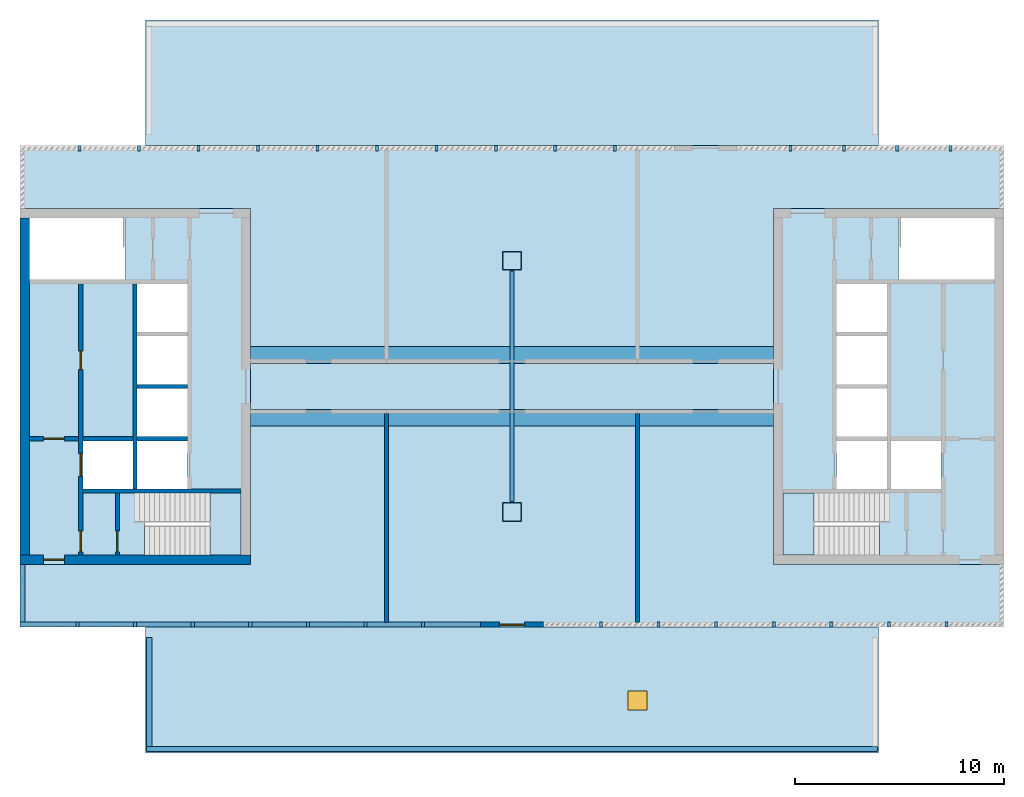
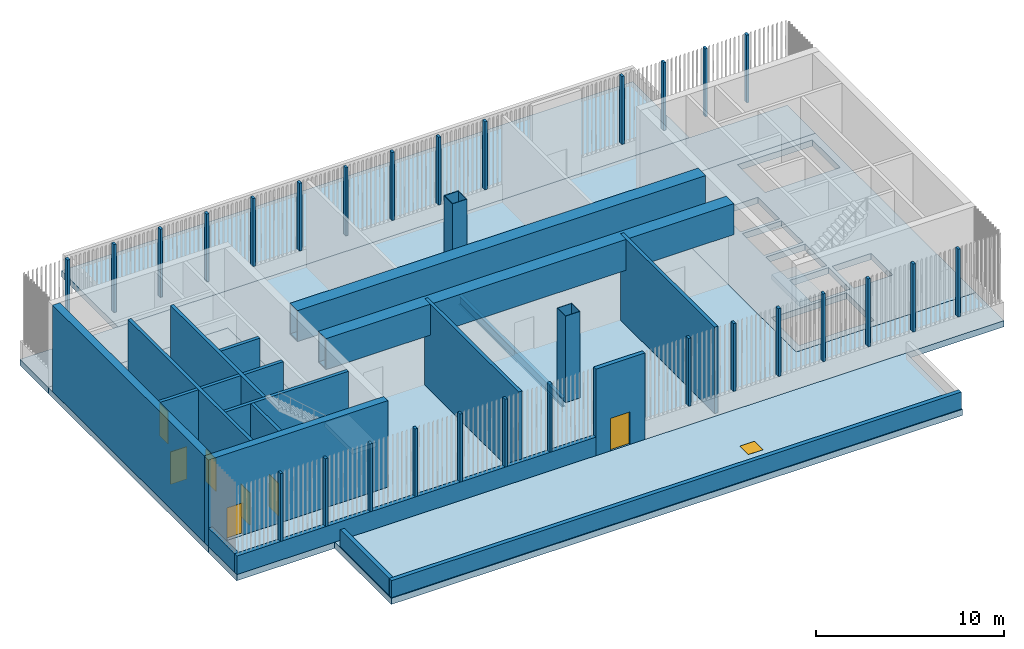
# One storey, part 1 of 9: 28 members, 17 walls, 7 doors, 7 slabs, 3 beams, 2 columns, 1 window, 8 openings, 2 elements without a shape of their own.
"""IFC4 building model written with IfcOpenShell, lengths in metres."""

from ifc_helpers import new_model, si_unit, direction, frame, frame_2d, origin, origin_2d, place, context, subcontext, project, spatial, polyline, rectangle, hollow_rectangle, i_section, outline, extrude, material, layer, layer_set, material_profile, profile_set, type_object, element, fill, aggregate, save


model = new_model("IFC4")

# Units and contexts
model_context = context("Model", 3, precision=1e-05, world=origin(), true_north=direction((0.0, 1.0)))
body_context = subcontext(model_context, "Body", "Model", "MODEL_VIEW")
ifc_project = project(units=[si_unit("LENGTHUNIT", "METRE"), si_unit("AREAUNIT", "SQUARE_METRE"), si_unit("VOLUMEUNIT", "CUBIC_METRE"), si_unit("PLANEANGLEUNIT", "RADIAN"), si_unit("MASSUNIT", "GRAM", prefix="KILO")], contexts=[model_context])

# Site, building, storey
site_placement = place(None, origin())
site = spatial("IfcSite", under=ifc_project, at=site_placement, CompositionType="ELEMENT")
building_placement = place(site_placement, origin())
building = spatial("IfcBuilding", under=site, at=building_placement, Name="Kitamizu Gate Tower and Museum", CompositionType="ELEMENT")
storey_placement = place(building_placement, frame((0.0, 0.0, 283.35009765625)))
storey = spatial("IfcBuildingStorey", under=building, at=storey_placement, Name="L76", CompositionType="ELEMENT", Elevation=283.35009765625)

# Columns
ifc_material_1 = material(Name="Steel SM490A", Category="steel")
ifc_material_profile_1 = material_profile(ifc_material_1, hollow_rectangle(XDim=0.89990234375, YDim=0.89990234375, WallThickness=0.030029296875, at=origin_2d()), Name="BOX 900x900x30")
ifc_profile_set_1 = profile_set([ifc_material_profile_1], Name="Steel SM490A")
column_type = type_object("IfcColumnType", Name="Interior column IC6 BOX 900x900x30", PredefinedType="COLUMN", material=ifc_profile_set_1)
for number, where, z_axis, x_axis, name in (
    (1, (36.0, 24.0, 0.0), (0.0, 0.0, 1.0), (1.0, 0.0, 0.0), "Column IC6 4C L76"),
    (2, (36.0, 36.0, 0.0), (0.0, 0.0, 1.0), (1.0, 0.0, 0.0), "Column IC6 4D L76"),
):
    element("IfcColumn", number, at=place(storey_placement, frame(where, z_axis=z_axis, x_axis=x_axis)), inside=storey, type_object=column_type, Name=name, PredefinedType="COLUMN", context=body_context, shape_type="SweptSolid", body=[
        extrude(hollow_rectangle(XDim=0.89990234375, YDim=0.89990234375, WallThickness=0.030029296875, at=origin_2d()), origin(), (0.0, 0.0, 1.0), 5.599853515625),
    ])

# Beam
ifc_material_2 = material(Name="Steel SM490A", Category="steel")
ifc_material_profile_2 = material_profile(ifc_material_2, i_section(OverallWidth=0.199951171875, OverallDepth=0.60009765625, WebThickness=0.010986328125, FlangeThickness=0.01708984375, FilletRadius=0.02197265625, at=origin_2d()), Name="H-600x200x11x17")
ifc_profile_set_2 = profile_set([ifc_material_profile_2], Name="Steel SM490A")
beam_type_1 = type_object("IfcBeamType", Name="Floor girder FG1 H 600x200x11x17", PredefinedType="BEAM", material=ifc_profile_set_2)
beam_placement = place(storey_placement, frame((36.0, 24.5, -0.7001953125), z_axis=(0.0, 1.0, 0.0), x_axis=(-1.0, 0.0, 0.0)))
element("IfcBeam", 3, at=beam_placement, inside=storey, type_object=beam_type_1, Name="Floor girder FG1 x36 L76", PredefinedType="BEAM", context=body_context, shape_type="SweptSolid", body=[
    extrude(i_section(OverallWidth=0.199951171875, OverallDepth=0.60009765625, WebThickness=0.010986328125, FlangeThickness=0.01708984375, FilletRadius=0.02197265625, at=origin_2d()), origin(), (0.0, 0.0, 1.0), 11.0),
])

# Members
ifc_material_3 = material(Name="Bronze anodised aluminium", Category="aluminium")
ifc_material_profile_3 = material_profile(ifc_material_3, rectangle(XDim=0.14990234375, YDim=0.25, at=origin_2d()), Name="AL 150x250")
ifc_profile_set_3 = profile_set([ifc_material_profile_3], Name="Bronze anodised aluminium")
member_type = type_object("IfcMemberType", Name="LOUVRE POST LP1 150x250x8", PredefinedType="POST", material=ifc_profile_set_3)
for number, where, z_axis, x_axis, name in (
    (4, (15.25, 18.625, 1.199951171875), (0.0, 0.0, 1.0), (1.0, 0.0, 0.0), "Louvre post SA1"),
    (5, (18.0, 18.625, 1.199951171875), (0.0, 0.0, 1.0), (1.0, 0.0, 0.0), "Louvre post SA2"),
    (6, (20.75, 18.625, 1.199951171875), (0.0, 0.0, 1.0), (1.0, 0.0, 0.0), "Louvre post SA3"),
    (7, (23.5, 18.625, 1.199951171875), (0.0, 0.0, 1.0), (1.0, 0.0, 0.0), "Louvre post SA4"),
    (8, (26.25, 18.625, 1.199951171875), (0.0, 0.0, 1.0), (1.0, 0.0, 0.0), "Louvre post SA5"),
    (9, (29.0, 18.625, 1.199951171875), (0.0, 0.0, 1.0), (1.0, 0.0, 0.0), "Louvre post SA6"),
    (10, (31.75, 18.625, 1.199951171875), (0.0, 0.0, 1.0), (1.0, 0.0, 0.0), "Louvre post SA7"),
    (11, (40.25, 18.625, 1.199951171875), (0.0, 0.0, 1.0), (1.0, 0.0, 0.0), "Louvre post SB1"),
    (12, (43.0, 18.625, 1.199951171875), (0.0, 0.0, 1.0), (1.0, 0.0, 0.0), "Louvre post SB2"),
    (13, (45.75, 18.625, 1.199951171875), (0.0, 0.0, 1.0), (1.0, 0.0, 0.0), "Louvre post SB3"),
    (14, (48.5, 18.625, 1.199951171875), (0.0, 0.0, 1.0), (1.0, 0.0, 0.0), "Louvre post SB4"),
    (15, (51.25, 18.625, 1.199951171875), (0.0, 0.0, 1.0), (1.0, 0.0, 0.0), "Louvre post SB5"),
    (16, (54.0, 18.625, 1.199951171875), (0.0, 0.0, 1.0), (1.0, 0.0, 0.0), "Louvre post SB6"),
    (17, (56.75, 18.625, 1.199951171875), (0.0, 0.0, 1.0), (1.0, 0.0, 0.0), "Louvre post SB7"),
    (18, (15.3408203125, 41.375, 1.199951171875), (0.0, 0.0, 1.0), (1.0, 0.0, 0.0), "Louvre post NA1"),
    (19, (18.181884765625, 41.375, 1.199951171875), (0.0, 0.0, 1.0), (1.0, 0.0, 0.0), "Louvre post NA2"),
    (20, (21.022705078125, 41.375, 1.199951171875), (0.0, 0.0, 1.0), (1.0, 0.0, 0.0), "Louvre post NA3"),
    (21, (23.863525390625, 41.375, 1.199951171875), (0.0, 0.0, 1.0), (1.0, 0.0, 0.0), "Louvre post NA4"),
    (22, (26.70458984375, 41.375, 1.199951171875), (0.0, 0.0, 1.0), (1.0, 0.0, 0.0), "Louvre post NA5"),
    (23, (29.54541015625, 41.375, 1.199951171875), (0.0, 0.0, 1.0), (1.0, 0.0, 0.0), "Louvre post NA6"),
    (24, (32.386474609375, 41.375, 1.199951171875), (0.0, 0.0, 1.0), (1.0, 0.0, 0.0), "Louvre post NA7"),
    (25, (35.227294921875, 41.375, 1.199951171875), (0.0, 0.0, 1.0), (1.0, 0.0, 0.0), "Louvre post NA8"),
    (26, (38.068115234375, 41.375, 1.199951171875), (0.0, 0.0, 1.0), (1.0, 0.0, 0.0), "Louvre post NA9"),
    (27, (40.9091796875, 41.375, 1.199951171875), (0.0, 0.0, 1.0), (1.0, 0.0, 0.0), "Louvre post NA10"),
    (28, (49.300048828125, 41.375, 1.199951171875), (0.0, 0.0, 1.0), (1.0, 0.0, 0.0), "Louvre post NB1"),
    (29, (51.85009765625, 41.375, 1.199951171875), (0.0, 0.0, 1.0), (1.0, 0.0, 0.0), "Louvre post NB2"),
    (30, (54.39990234375, 41.375, 1.199951171875), (0.0, 0.0, 1.0), (1.0, 0.0, 0.0), "Louvre post NB3"),
    (31, (56.949951171875, 41.375, 1.199951171875), (0.0, 0.0, 1.0), (1.0, 0.0, 0.0), "Louvre post NB4"),
):
    element("IfcMember", number, at=place(storey_placement, frame(where, z_axis=z_axis, x_axis=x_axis)), inside=storey, type_object=member_type, Name=name, PredefinedType="POST", context=body_context, shape_type="SweptSolid", body=[
        extrude(rectangle(XDim=0.14990234375, YDim=0.25, at=origin_2d()), origin(), (0.0, 0.0, 1.0), 4.39990234375),
    ])

# Beams
ifc_material_4 = material(Name="Steel SM490A bronze coated", Category="steel")
ifc_material_profile_4 = material_profile(ifc_material_4, hollow_rectangle(XDim=0.800048828125, YDim=2.0, WallThickness=0.070068359375, at=origin_2d()), Name="BOX 800x2000x70")
ifc_profile_set_4 = profile_set([ifc_material_profile_4], Name="Steel SM490A bronze coated")
beam_type_2 = type_object("IfcBeamType", Name="Mast girder MG2 BOX 800x2000x70", PredefinedType="BEAM", material=ifc_profile_set_4)
for number, where, z_axis, x_axis, name in (
    (32, (23.5, 28.5, 4.599853515625), (1.0, 0.0, 0.0), (0.0, 1.0, 0.0), "Mast girder S"),
    (33, (23.5, 31.5, 4.599853515625), (1.0, 0.0, 0.0), (0.0, 1.0, 0.0), "Mast girder N"),
):
    element("IfcBeam", number, at=place(storey_placement, frame(where, z_axis=z_axis, x_axis=x_axis)), inside=storey, type_object=beam_type_2, Name=name, PredefinedType="BEAM", context=body_context, shape_type="SweptSolid", body=[
        extrude(hollow_rectangle(XDim=0.800048828125, YDim=2.0, WallThickness=0.070068359375, at=origin_2d()), origin(), (0.0, 0.0, 1.0), 25.0),
    ])

# Slabs
ifc_material_5 = material(Name="Concrete Fc36", Category="concrete")
ifc_layer_1 = layer(ifc_material_5, 0.39990234375)
ifc_layer_set_1 = layer_set([ifc_layer_1], Name="Concrete Fc36")
slab_type_1 = type_object("IfcSlabType", Name="Core floor slab 400", PredefinedType="FLOOR", material=ifc_layer_set_1)
slab_1_placement = place(storey_placement, frame((0.0, 0.0, -0.400146484375)))
element("IfcSlab", 34, at=slab_1_placement, inside=storey, type_object=slab_type_1, Name="Core floor slab W", PredefinedType="FLOOR", context=body_context, shape_type="SweptSolid", body=[
    extrude(outline(polyline([(12.5, 21.5), (23.5, 21.5), (23.5, 38.5), (12.5, 38.5), (12.5, 21.5)]), holes=[polyline([(15.5, 25.10009765625), (17.89990234375, 25.10009765625), (17.89990234375, 27.39990234375), (15.5, 27.39990234375), (15.5, 25.10009765625)]), polyline([(18.10009765625, 25.10009765625), (20.5, 25.10009765625), (20.5, 27.39990234375), (18.10009765625, 27.39990234375), (18.10009765625, 25.10009765625)]), polyline([(18.10009765625, 27.60009765625), (20.5, 27.60009765625), (20.5, 29.89990234375), (18.10009765625, 29.89990234375), (18.10009765625, 27.60009765625)]), polyline([(18.10009765625, 30.10009765625), (20.5, 30.10009765625), (20.5, 32.39990234375), (18.10009765625, 32.39990234375), (18.10009765625, 30.10009765625)]), polyline([(18.10009765625, 32.60009765625), (20.5, 32.60009765625), (20.5, 34.89990234375), (18.10009765625, 34.89990234375), (18.10009765625, 32.60009765625)]), polyline([(18.45068359375, 21.949951171875), (23.050048828125, 21.949951171875), (23.050048828125, 24.89990234375), (18.45068359375, 24.89990234375), (18.45068359375, 21.949951171875)]), polyline([(12.949951171875, 35.10009765625), (17.54931640625, 35.10009765625), (17.54931640625, 38.050048828125), (12.949951171875, 38.050048828125), (12.949951171875, 35.10009765625)])]), origin(), (0.0, 0.0, 1.0), 0.400146484375),
])
slab_2_placement = place(storey_placement, frame((0.0, 0.0, -0.400146484375)))
element("IfcSlab", 35, at=slab_2_placement, inside=storey, type_object=slab_type_1, Name="Core floor slab E", PredefinedType="FLOOR", context=body_context, shape_type="SweptSolid", body=[
    extrude(outline(polyline([(48.5, 21.5), (59.5, 21.5), (59.5, 38.5), (48.5, 38.5), (48.5, 21.5)]), holes=[polyline([(54.10009765625, 25.10009765625), (56.5, 25.10009765625), (56.5, 27.39990234375), (54.10009765625, 27.39990234375), (54.10009765625, 25.10009765625)]), polyline([(51.5, 25.10009765625), (53.89990234375, 25.10009765625), (53.89990234375, 27.39990234375), (51.5, 27.39990234375), (51.5, 25.10009765625)]), polyline([(51.5, 27.60009765625), (53.89990234375, 27.60009765625), (53.89990234375, 29.89990234375), (51.5, 29.89990234375), (51.5, 27.60009765625)]), polyline([(51.5, 30.10009765625), (53.89990234375, 30.10009765625), (53.89990234375, 32.39990234375), (51.5, 32.39990234375), (51.5, 30.10009765625)]), polyline([(51.5, 32.60009765625), (53.89990234375, 32.60009765625), (53.89990234375, 34.89990234375), (51.5, 34.89990234375), (51.5, 32.60009765625)]), polyline([(48.949951171875, 21.949951171875), (53.54931640625, 21.949951171875), (53.54931640625, 24.89990234375), (48.949951171875, 24.89990234375), (48.949951171875, 21.949951171875)]), polyline([(54.45068359375, 35.10009765625), (59.050048828125, 35.10009765625), (59.050048828125, 38.050048828125), (54.45068359375, 38.050048828125), (54.45068359375, 35.10009765625)])]), origin(), (0.0, 0.0, 1.0), 0.400146484375),
])
ifc_material_6 = material(Name="Concrete Fc36", Category="concrete")
ifc_layer_2 = layer(ifc_material_6, 0.39990234375)
ifc_layer_set_2 = layer_set([ifc_layer_2], Name="Concrete Fc36")
slab_type_2 = type_object("IfcSlabType", Name="Post tensioned flat slab 400", PredefinedType="FLOOR", material=ifc_layer_set_2)
slab_3_placement = place(storey_placement, frame((0.0, 0.0, -0.400146484375)))
element("IfcSlab", 36, at=slab_3_placement, inside=storey, type_object=slab_type_2, Name="Floor slab L76-1", PredefinedType="FLOOR", context=body_context, shape_type="SweptSolid", body=[
    extrude(outline(polyline([(12.5, 18.5), (12.5, 21.5), (23.5, 21.5), (23.5, 38.5), (12.5, 38.5), (12.5, 41.5), (18.5, 41.5), (53.5, 41.5), (59.5, 41.5), (59.5, 38.5), (48.5, 38.5), (48.5, 21.5), (59.5, 21.5), (59.5, 18.5), (53.5, 18.5), (18.5, 18.5), (12.5, 18.5)])), origin(), (0.0, 0.0, 1.0), 0.400146484375),
])

# Slab, opening, window
ifc_material_7 = material(Name="Concrete Fc36", Category="concrete")
ifc_layer_3 = layer(ifc_material_7, 0.39990234375)
ifc_layer_set_3 = layer_set([ifc_layer_3], Name="Concrete Fc36")
slab_type_3 = type_object("IfcSlabType", Name="Roof slab 400", PredefinedType="ROOF", material=ifc_layer_set_3)
slab_4_placement = place(storey_placement, frame((0.0, 0.0, -0.400146484375)))
slab_4 = element("IfcSlab", 37, at=slab_4_placement, inside=storey, type_object=slab_type_3, Name="Plant roof L76-1", PredefinedType="ROOF", context=body_context, shape_type="SweptSolid", body=[
    extrude(outline(polyline([(53.5, 12.5), (18.5, 12.5), (18.5, 18.5), (53.5, 18.5), (53.5, 12.5)])), origin(), (0.0, 0.0, 1.0), 0.400146484375),
])
opening_1_placement = place(slab_4_placement, frame((42.0, 15.0, 0.0)))
opening_1 = element("IfcOpeningElement", 38, at=opening_1_placement, cuts=slab_4, Name="Opening RH1", PredefinedType="OPENING", context=body_context, shape_type="SweptSolid", body=[
    extrude(rectangle(XDim=0.89990234375, YDim=0.89990234375, at=origin_2d()), origin(), (0.0, 0.0, 1.0), 0.400146484375),
])
ifc_material_8 = material(Name="Insulated aluminium hatch with tinted glazing", Category="aluminium")
window_type = type_object("IfcWindowType", Name="ROOF ACCESS HATCH 900 x 900", PartitioningType="SINGLE_PANEL", PredefinedType="SKYLIGHT", material=ifc_material_8)
window_placement = place(opening_1_placement, frame((0.0, 0.0, 0.35009765625)))
window = element("IfcWindow", 39, at=window_placement, inside=storey, type_object=window_type, Name="Roof access hatch RH1", OverallHeight=0.89990234375, OverallWidth=0.89990234375, PartitioningType="SINGLE_PANEL", PredefinedType="SKYLIGHT", context=body_context, shape_type="SweptSolid", body=[
    extrude(rectangle(XDim=0.89990234375, YDim=0.89990234375, at=origin_2d()), origin(), (0.0, 0.0, 1.0), 0.050048828125),
])
fill(opening_1, window)

# Slab
slab_5_placement = place(storey_placement, frame((0.0, 0.0, -0.400146484375)))
element("IfcSlab", 40, at=slab_5_placement, inside=storey, type_object=slab_type_3, Name="Plant roof L76-2", PredefinedType="ROOF", context=body_context, shape_type="SweptSolid", body=[
    extrude(outline(polyline([(18.5, 47.5), (53.5, 47.5), (53.5, 41.5), (18.5, 41.5), (18.5, 47.5)])), origin(), (0.0, 0.0, 1.0), 0.400146484375),
])

# Stair, slab
ifc_material_9 = material(Name="Concrete Fc42", Category="concrete")
stair_type = type_object("IfcStairType", Name="Exit stair 1375 wide 200 rise 241 going", PredefinedType="HALF_TURN_STAIR", material=ifc_material_9)
stair_1_placement = place(storey_placement, origin())
stair_1 = element("IfcStair", 41, at=stair_1_placement, inside=storey, type_object=stair_type, Name="Exit stair ST1", PredefinedType="HALF_TURN_STAIR")
ifc_material_10 = material(Name="Concrete Fc42", Category="concrete")
ifc_layer_4 = layer(ifc_material_10, 0.300048828125)
ifc_layer_set_4 = layer_set([ifc_layer_4], Name="Concrete Fc42")
slab_type_4 = type_object("IfcSlabType", Name="Stair landing 300", PredefinedType="LANDING", material=ifc_layer_set_4)
slab_6_placement = place(storey_placement, frame((0.0, 0.0, 2.5)))
slab_6 = element("IfcSlab", 42, at=slab_6_placement, type_object=slab_type_4, Name="ST1 landing 1", PredefinedType="LANDING", context=body_context, shape_type="SweptSolid", body=[
    extrude(outline(polyline([(21.5830078125, 21.949951171875), (23.050048828125, 21.949951171875), (23.050048828125, 24.89990234375), (21.5830078125, 24.89990234375), (21.5830078125, 21.949951171875)])), origin(), (0.0, 0.0, 1.0), 0.2998046875),
])
aggregate(stair_1, [slab_6])

stair_2_placement = place(storey_placement, origin())
stair_2 = element("IfcStair", 43, at=stair_2_placement, inside=storey, type_object=stair_type, Name="Exit stair ST3", PredefinedType="HALF_TURN_STAIR")
slab_7_placement = place(storey_placement, frame((0.0, 0.0, 2.5)))
slab_7 = element("IfcSlab", 44, at=slab_7_placement, type_object=slab_type_4, Name="ST3 landing 1", PredefinedType="LANDING", context=body_context, shape_type="SweptSolid", body=[
    extrude(outline(polyline([(48.949951171875, 21.949951171875), (50.4169921875, 21.949951171875), (50.4169921875, 24.89990234375), (48.949951171875, 24.89990234375), (48.949951171875, 21.949951171875)])), origin(), (0.0, 0.0, 1.0), 0.2998046875),
])
aggregate(stair_2, [slab_7])

# Wall, opening, door
ifc_material_11 = material(Name="Concrete Fc42", Category="concrete")
ifc_layer_5 = layer(ifc_material_11, 0.449951171875)
ifc_layer_set_5 = layer_set([ifc_layer_5], Name="Concrete Fc42")
wall_type_1 = type_object("IfcWallType", Name="Core wall 450 EI 60", PredefinedType="SHEAR", material=ifc_layer_set_5)
wall_1_placement = place(storey_placement, frame((12.5, 21.72509765625, 0.0), z_axis=(0.0, 0.0, 1.0), x_axis=(1.0, 0.0, 0.0)))
wall_1 = element("IfcWall", 45, at=wall_1_placement, inside=storey, type_object=wall_type_1, Name="Core wall WS", PredefinedType="SHEAR", context=body_context, shape_type="SweptSolid", body=[
    extrude(rectangle(XDim=11.0, YDim=0.449951171875, at=frame_2d((5.5, 0.0))), origin(), (0.0, 0.0, 1.0), 5.599853515625),
])
opening_2_placement = place(wall_1_placement, frame((1.125, 0.0, 0.0)))
opening_2 = element("IfcOpeningElement", 46, at=opening_2_placement, cuts=wall_1, Name="Opening L76-012", PredefinedType="OPENING", context=body_context, shape_type="SweptSolid", body=[
    extrude(rectangle(XDim=1.0, YDim=2.10009765625, at=frame_2d((0.5, 1.050048828125))), frame((0.0, 0.23486328125, 0.0), z_axis=(0.0, -1.0, 0.0), x_axis=(1.0, 0.0, 0.0)), (0.0, 0.0, 1.0), 0.469970703125),
])
ifc_material_12 = material(Name="Hollow metal door set")
door_type_1 = type_object("IfcDoorType", Name="Fire door 1000", OperationType="NOTDEFINED", PredefinedType="DOOR", material=ifc_material_12)
door_1_placement = place(opening_2_placement, frame((1.0, 0.0, 0.0), x_axis=(-1.0, 0.0, 0.0)))
door_1 = element("IfcDoor", 47, at=door_1_placement, inside=storey, type_object=door_type_1, Name="Fire-fighting lobby door L76-012", OperationType="SINGLE_SWING_LEFT", OverallHeight=2.10009765625, OverallWidth=1.0, PredefinedType="DOOR", context=body_context, shape_type="SweptSolid", body=[
    extrude(rectangle(XDim=1.0, YDim=2.10009765625, at=frame_2d((0.5, 1.050048828125))), frame((0.0, 0.02490234375, 0.0), z_axis=(0.0, -1.0, 0.0), x_axis=(1.0, 0.0, 0.0)), (0.0, 0.0, 1.0), 0.050048828125),
])
fill(opening_2, door_1)

# Walls
wall_2_placement = place(storey_placement, frame((12.72509765625, 21.949951171875, 0.0), z_axis=(0.0, 0.0, 1.0), x_axis=(0.0, 1.0, 0.0)))
element("IfcWall", 48, at=wall_2_placement, inside=storey, type_object=wall_type_1, Name="Core wall WOUT", PredefinedType="SHEAR", context=body_context, shape_type="SweptSolid", body=[
    extrude(rectangle(XDim=16.10009765625, YDim=0.449951171875, at=frame_2d((8.050048828125, 0.0))), origin(), (0.0, 0.0, 1.0), 5.599853515625),
])
ifc_material_13 = material(Name="Concrete Fc42", Category="concrete")
ifc_layer_6 = layer(ifc_material_13, 0.25)
ifc_layer_set_6 = layer_set([ifc_layer_6], Name="Concrete Fc42")
wall_type_2 = type_object("IfcWallType", Name="DRUM BASE WALL 250", PredefinedType="SOLIDWALL", material=ifc_layer_set_6)
wall_3_placement = place(storey_placement, frame((12.5, 18.625, 0.0), z_axis=(0.0, 0.0, 1.0), x_axis=(1.0, 0.0, 0.0)))
element("IfcWall", 49, at=wall_3_placement, inside=storey, type_object=wall_type_2, Name="Drum base wall SA", PredefinedType="SOLIDWALL", context=body_context, shape_type="SweptSolid", body=[
    extrude(rectangle(XDim=22.0, YDim=0.25, at=frame_2d((11.0, 0.0))), origin(), (0.0, 0.0, 1.0), 1.199951171875),
])
wall_4_placement = place(storey_placement, frame((12.625, 18.75, 0.0), z_axis=(0.0, 0.0, 1.0), x_axis=(0.0, 1.0, 0.0)))
element("IfcWall", 50, at=wall_4_placement, inside=storey, type_object=wall_type_2, Name="Drum base wall WS", PredefinedType="SOLIDWALL", context=body_context, shape_type="SweptSolid", body=[
    extrude(rectangle(XDim=2.75, YDim=0.25, at=frame_2d((1.375, 0.0))), origin(), (0.0, 0.0, 1.0), 1.199951171875),
])

# Wall, opening, door
wall_5_placement = place(storey_placement, frame((34.5, 18.625, 0.0), z_axis=(0.0, 0.0, 1.0), x_axis=(1.0, 0.0, 0.0)))
wall_5 = element("IfcWall", 51, at=wall_5_placement, inside=storey, type_object=wall_type_2, Name="Drum wall S maintenance door bay", PredefinedType="SOLIDWALL", context=body_context, shape_type="SweptSolid", body=[
    extrude(rectangle(XDim=3.0, YDim=0.25, at=frame_2d((1.5, 0.0))), origin(), (0.0, 0.0, 1.0), 5.599853515625),
])
opening_3_placement = place(wall_5_placement, frame((0.89990234375, 0.0, 0.0)))
opening_3 = element("IfcOpeningElement", 52, at=opening_3_placement, cuts=wall_5, Name="Opening L76-025", PredefinedType="OPENING", context=body_context, shape_type="SweptSolid", body=[
    extrude(rectangle(XDim=1.199951171875, YDim=2.10009765625, at=frame_2d((0.60009765625, 1.050048828125))), frame((0.0, 0.135009765625, 0.0), z_axis=(0.0, -1.0, 0.0), x_axis=(1.0, 0.0, 0.0)), (0.0, 0.0, 1.0), 0.27001953125),
])
ifc_material_14 = material(Name="Insulated galvanised steel door set, bronze polyester powder coat", Category="steel")
door_type_2 = type_object("IfcDoorType", Name="MAINTENANCE DOOR 1200 x 2100 UNRATED", OperationType="NOTDEFINED", PredefinedType="DOOR", material=ifc_material_14)
door_2_placement = place(opening_3_placement, frame((1.199951171875, 0.0, 0.0), x_axis=(-1.0, 0.0, 0.0)))
door_2 = element("IfcDoor", 53, at=door_2_placement, inside=storey, type_object=door_type_2, Name="Maintenance door L76-025", OperationType="SINGLE_SWING_RIGHT", OverallHeight=2.10009765625, OverallWidth=1.199951171875, PredefinedType="DOOR", context=body_context, shape_type="SweptSolid", body=[
    extrude(rectangle(XDim=1.199951171875, YDim=2.10009765625, at=frame_2d((0.60009765625, 1.050048828125))), frame((0.0, 0.02490234375, 0.0), z_axis=(0.0, -1.0, 0.0), x_axis=(1.0, 0.0, 0.0)), (0.0, 0.0, 1.0), 0.050048828125),
])
fill(opening_3, door_2)

# Walls
ifc_material_15 = material(Name="Concrete Fc42", Category="concrete")
ifc_layer_7 = layer(ifc_material_15, 0.25)
ifc_layer_set_7 = layer_set([ifc_layer_7], Name="Concrete Fc42")
wall_type_3 = type_object("IfcWallType", Name="PARAPET WALL 250", PredefinedType="PARAPET", material=ifc_layer_set_7)
wall_6_placement = place(storey_placement, frame((53.449951171875, 12.675048828125, 0.0), z_axis=(0.0, 0.0, 1.0), x_axis=(-1.0, 0.0, 0.0)))
element("IfcWall", 54, at=wall_6_placement, inside=storey, type_object=wall_type_3, Name="Roof parapet 2", PredefinedType="PARAPET", context=body_context, shape_type="SweptSolid", body=[
    extrude(rectangle(XDim=34.89990234375, YDim=0.25, at=frame_2d((17.449951171875, 0.0))), origin(), (0.0, 0.0, 1.0), 1.099853515625),
])
wall_7_placement = place(storey_placement, frame((18.675048828125, 12.800048828125, 0.0), z_axis=(0.0, 0.0, 1.0), x_axis=(0.0, 1.0, 0.0)))
element("IfcWall", 55, at=wall_7_placement, inside=storey, type_object=wall_type_3, Name="Roof parapet 3", PredefinedType="PARAPET", context=body_context, shape_type="SweptSolid", body=[
    extrude(rectangle(XDim=5.199951171875, YDim=0.25, at=frame_2d((2.60009765625, 0.0))), origin(), (0.0, 0.0, 1.0), 1.099853515625),
])
ifc_material_16 = material(Name="Gypsum board on galvanised stud")
ifc_layer_8 = layer(ifc_material_16, 0.199951171875)
ifc_layer_set_8 = layer_set([ifc_layer_8], Name="Gypsum board on galvanised stud")
wall_type_4 = type_object("IfcWallType", Name="Partition 200", PredefinedType="PARTITIONING", material=ifc_layer_set_8)
for number, where, z_axis, x_axis, name in (
    (56, (30.0, 18.719970703125, 0.0), (0.0, 0.0, 1.0), (0.0, 1.0, 0.0), "Partition L76-007"),
    (57, (42.0, 18.719970703125, 0.0), (0.0, 0.0, 1.0), (0.0, 1.0, 0.0), "Partition L76-008"),
):
    element("IfcWall", number, at=place(storey_placement, frame(where, z_axis=z_axis, x_axis=x_axis)), inside=storey, type_object=wall_type_4, Name=name, PredefinedType="PARTITIONING", context=body_context, shape_type="SweptSolid", body=[
        extrude(rectangle(XDim=9.97998046875, YDim=0.199951171875, at=frame_2d((4.989990234375, 0.0))), origin(), (0.0, 0.0, 1.0), 5.599853515625),
    ])

# Wall, openings, doors
ifc_material_17 = material(Name="Concrete Fc42", Category="concrete")
ifc_layer_9 = layer(ifc_material_17, 0.199951171875)
ifc_layer_set_9 = layer_set([ifc_layer_9], Name="Concrete Fc42")
wall_type_5 = type_object("IfcWallType", Name="Shaft wall 200", PredefinedType="SOLIDWALL", material=ifc_layer_set_9)
wall_8_placement = place(storey_placement, frame((15.39990234375, 21.949951171875, 0.0), z_axis=(0.0, 0.0, 1.0), x_axis=(0.0, 1.0, 0.0)))
wall_8 = element("IfcWall", 58, at=wall_8_placement, inside=storey, type_object=wall_type_5, Name="Shaft wall WWEST", PredefinedType="SOLIDWALL", context=body_context, shape_type="SweptSolid", body=[
    extrude(rectangle(XDim=12.949951171875, YDim=0.199951171875, at=frame_2d((6.47509765625, 0.0))), origin(), (0.0, 0.0, 1.0), 5.599853515625),
])
opening_4_placement = place(wall_8_placement, frame((3.75, 0.0, 0.0)))
opening_4 = element("IfcOpeningElement", 59, at=opening_4_placement, cuts=wall_8, Name="Opening LD", PredefinedType="OPENING", context=body_context, shape_type="SweptSolid", body=[
    extrude(rectangle(XDim=1.10009765625, YDim=2.10009765625, at=frame_2d((0.550048828125, 1.050048828125))), frame((0.0, 0.10986328125, 0.0), z_axis=(0.0, -1.0, 0.0), x_axis=(1.0, 0.0, 0.0)), (0.0, 0.0, 1.0), 0.219970703125),
])
opening_5_placement = place(wall_8_placement, frame((0.14990234375, 0.0, 0.0)))
opening_5 = element("IfcOpeningElement", 60, at=opening_5_placement, cuts=wall_8, Name="Opening L76-008", PredefinedType="OPENING", context=body_context, shape_type="SweptSolid", body=[
    extrude(rectangle(XDim=1.0, YDim=2.10009765625, at=frame_2d((0.5, 1.050048828125))), frame((0.0, 0.10986328125, 0.0), z_axis=(0.0, -1.0, 0.0), x_axis=(1.0, 0.0, 0.0)), (0.0, 0.0, 1.0), 0.219970703125),
])
opening_6_placement = place(wall_8_placement, frame((8.85009765625, 0.0, 0.0)))
opening_6 = element("IfcOpeningElement", 61, at=opening_6_placement, cuts=wall_8, Name="Opening L76-015", PredefinedType="OPENING", context=body_context, shape_type="SweptSolid", body=[
    extrude(rectangle(XDim=0.89990234375, YDim=2.10009765625, at=frame_2d((0.449951171875, 1.050048828125))), frame((0.0, 0.10986328125, 0.0), z_axis=(0.0, -1.0, 0.0), x_axis=(1.0, 0.0, 0.0)), (0.0, 0.0, 1.0), 0.219970703125),
])
door_3_placement = place(opening_5_placement, frame((1.0, 0.0, 0.0), x_axis=(-1.0, 0.0, 0.0)))
door_3 = element("IfcDoor", 62, at=door_3_placement, inside=storey, type_object=door_type_1, Name="Stair lobby door L76-008", OperationType="SINGLE_SWING_LEFT", OverallHeight=2.10009765625, OverallWidth=1.0, PredefinedType="DOOR", context=body_context, shape_type="SweptSolid", body=[
    extrude(rectangle(XDim=1.0, YDim=2.10009765625, at=frame_2d((0.5, 1.050048828125))), frame((0.0, 0.02490234375, 0.0), z_axis=(0.0, -1.0, 0.0), x_axis=(1.0, 0.0, 0.0)), (0.0, 0.0, 1.0), 0.050048828125),
])
fill(opening_5, door_3)
ifc_material_18 = material(Name="Hollow metal door set")
door_type_3 = type_object("IfcDoorType", Name="Landing door 1100", OperationType="SLIDING_TO_LEFT", PredefinedType="DOOR", material=ifc_material_18)
door_4_placement = place(opening_4_placement, origin())
door_4 = element("IfcDoor", 63, at=door_4_placement, inside=storey, type_object=door_type_3, Name="Landing door WFF1", OperationType="SLIDING_TO_LEFT", OverallHeight=2.10009765625, OverallWidth=1.10009765625, PredefinedType="DOOR", context=body_context, shape_type="SweptSolid", body=[
    extrude(rectangle(XDim=1.10009765625, YDim=2.10009765625, at=frame_2d((0.550048828125, 1.050048828125))), frame((0.0, 0.02490234375, 0.0), z_axis=(0.0, -1.0, 0.0), x_axis=(1.0, 0.0, 0.0)), (0.0, 0.0, 1.0), 0.050048828125),
])
fill(opening_4, door_4)
ifc_material_19 = material(Name="Timber door set", Category="wood")
door_type_4 = type_object("IfcDoorType", Name="Service door 900", OperationType="NOTDEFINED", PredefinedType="DOOR", material=ifc_material_19)
door_5_placement = place(opening_6_placement, frame((0.89990234375, 0.0, 0.0), x_axis=(-1.0, 0.0, 0.0)))
door_5 = element("IfcDoor", 64, at=door_5_placement, inside=storey, type_object=door_type_4, Name="Service door L76-015", OperationType="SINGLE_SWING_RIGHT", OverallHeight=2.10009765625, OverallWidth=0.89990234375, PredefinedType="DOOR", context=body_context, shape_type="SweptSolid", body=[
    extrude(rectangle(XDim=0.89990234375, YDim=2.10009765625, at=frame_2d((0.449951171875, 1.050048828125))), frame((0.0, 0.02490234375, 0.0), z_axis=(0.0, -1.0, 0.0), x_axis=(1.0, 0.0, 0.0)), (0.0, 0.0, 1.0), 0.050048828125),
])
fill(opening_6, door_5)

# Walls
wall_9_placement = place(storey_placement, frame((18.0, 25.10009765625, 0.0), z_axis=(0.0, 0.0, 1.0), x_axis=(0.0, 1.0, 0.0)))
element("IfcWall", 65, at=wall_9_placement, inside=storey, type_object=wall_type_5, Name="Shaft wall WMID", PredefinedType="SOLIDWALL", context=body_context, shape_type="SweptSolid", body=[
    extrude(rectangle(XDim=9.7998046875, YDim=0.199951171875, at=frame_2d((4.89990234375, 0.0))), origin(), (0.0, 0.0, 1.0), 5.599853515625),
])
wall_10_placement = place(storey_placement, frame((15.5, 25.0, 0.0), z_axis=(0.0, 0.0, 1.0), x_axis=(1.0, 0.0, 0.0)))
element("IfcWall", 66, at=wall_10_placement, inside=storey, type_object=wall_type_5, Name="Shaft wall WSB", PredefinedType="SOLIDWALL", context=body_context, shape_type="SweptSolid", body=[
    extrude(rectangle(XDim=7.550048828125, YDim=0.199951171875, at=frame_2d((3.77490234375, 0.0))), origin(), (0.0, 0.0, 1.0), 5.599853515625),
])

# Wall, opening, door
wall_11_placement = place(storey_placement, frame((12.949951171875, 27.5, 0.0), z_axis=(0.0, 0.0, 1.0), x_axis=(1.0, 0.0, 0.0)))
wall_11 = element("IfcWall", 67, at=wall_11_placement, inside=storey, type_object=wall_type_5, Name="Shaft wall WFFN", PredefinedType="SOLIDWALL", context=body_context, shape_type="SweptSolid", body=[
    extrude(rectangle(XDim=2.35009765625, YDim=0.199951171875, at=frame_2d((1.175048828125, 0.0))), origin(), (0.0, 0.0, 1.0), 5.599853515625),
])
opening_7_placement = place(wall_11_placement, frame((0.675048828125, 0.0, 0.0)))
opening_7 = element("IfcOpeningElement", 68, at=opening_7_placement, cuts=wall_11, Name="Opening L76-011", PredefinedType="OPENING", context=body_context, shape_type="SweptSolid", body=[
    extrude(rectangle(XDim=1.0, YDim=2.10009765625, at=frame_2d((0.5, 1.050048828125))), frame((0.0, 0.10986328125, 0.0), z_axis=(0.0, -1.0, 0.0), x_axis=(1.0, 0.0, 0.0)), (0.0, 0.0, 1.0), 0.219970703125),
])
door_6_placement = place(opening_7_placement, frame((1.0, 0.0, 0.0), x_axis=(-1.0, 0.0, 0.0)))
door_6 = element("IfcDoor", 69, at=door_6_placement, inside=storey, type_object=door_type_1, Name="Fire-fighting lobby door L76-011", OperationType="SINGLE_SWING_LEFT", OverallHeight=2.10009765625, OverallWidth=1.0, PredefinedType="DOOR", context=body_context, shape_type="SweptSolid", body=[
    extrude(rectangle(XDim=1.0, YDim=2.10009765625, at=frame_2d((0.5, 1.050048828125))), frame((0.0, 0.02490234375, 0.0), z_axis=(0.0, -1.0, 0.0), x_axis=(1.0, 0.0, 0.0)), (0.0, 0.0, 1.0), 0.050048828125),
])
fill(opening_7, door_6)

wall_12_placement = place(storey_placement, frame((17.14990234375, 21.949951171875, 0.0), z_axis=(0.0, 0.0, 1.0), x_axis=(0.0, 1.0, 0.0)))
wall_12 = element("IfcWall", 70, at=wall_12_placement, inside=storey, type_object=wall_type_5, Name="Shaft wall WSZ", PredefinedType="SOLIDWALL", context=body_context, shape_type="SweptSolid", body=[
    extrude(rectangle(XDim=2.949951171875, YDim=0.199951171875, at=frame_2d((1.47509765625, 0.0))), origin(), (0.0, 0.0, 1.0), 5.599853515625),
])
opening_8_placement = place(wall_12_placement, frame((0.14990234375, 0.0, 0.0)))
opening_8 = element("IfcOpeningElement", 71, at=opening_8_placement, cuts=wall_12, Name="Opening L76-007", PredefinedType="OPENING", context=body_context, shape_type="SweptSolid", body=[
    extrude(rectangle(XDim=1.0, YDim=2.10009765625, at=frame_2d((0.5, 1.050048828125))), frame((0.0, 0.10986328125, 0.0), z_axis=(0.0, -1.0, 0.0), x_axis=(1.0, 0.0, 0.0)), (0.0, 0.0, 1.0), 0.219970703125),
])
door_7_placement = place(opening_8_placement, frame((1.0, 0.0, 0.0), x_axis=(-1.0, 0.0, 0.0)))
door_7 = element("IfcDoor", 72, at=door_7_placement, inside=storey, type_object=door_type_1, Name="Stair door L76-007", OperationType="SINGLE_SWING_LEFT", OverallHeight=2.10009765625, OverallWidth=1.0, PredefinedType="DOOR", context=body_context, shape_type="SweptSolid", body=[
    extrude(rectangle(XDim=1.0, YDim=2.10009765625, at=frame_2d((0.5, 1.050048828125))), frame((0.0, 0.02490234375, 0.0), z_axis=(0.0, -1.0, 0.0), x_axis=(1.0, 0.0, 0.0)), (0.0, 0.0, 1.0), 0.050048828125),
])
fill(opening_8, door_7)

# Walls
for number, where, z_axis, x_axis, name in (
    (73, (15.5, 27.5, 0.0), (0.0, 0.0, 1.0), (1.0, 0.0, 0.0), "Shaft wall WDVW0"),
    (74, (18.10009765625, 27.5, 0.0), (0.0, 0.0, 1.0), (1.0, 0.0, 0.0), "Shaft wall WDVE0"),
    (75, (18.10009765625, 30.0, 0.0), (0.0, 0.0, 1.0), (1.0, 0.0, 0.0), "Shaft wall WDVE1"),
):
    element("IfcWall", number, at=place(storey_placement, frame(where, z_axis=z_axis, x_axis=x_axis)), inside=storey, type_object=wall_type_5, Name=name, PredefinedType="SOLIDWALL", context=body_context, shape_type="SweptSolid", body=[
        extrude(rectangle(XDim=2.39990234375, YDim=0.199951171875, at=frame_2d((1.199951171875, 0.0))), origin(), (0.0, 0.0, 1.0), 5.599853515625),
    ])

save(model, "model.ifc")
